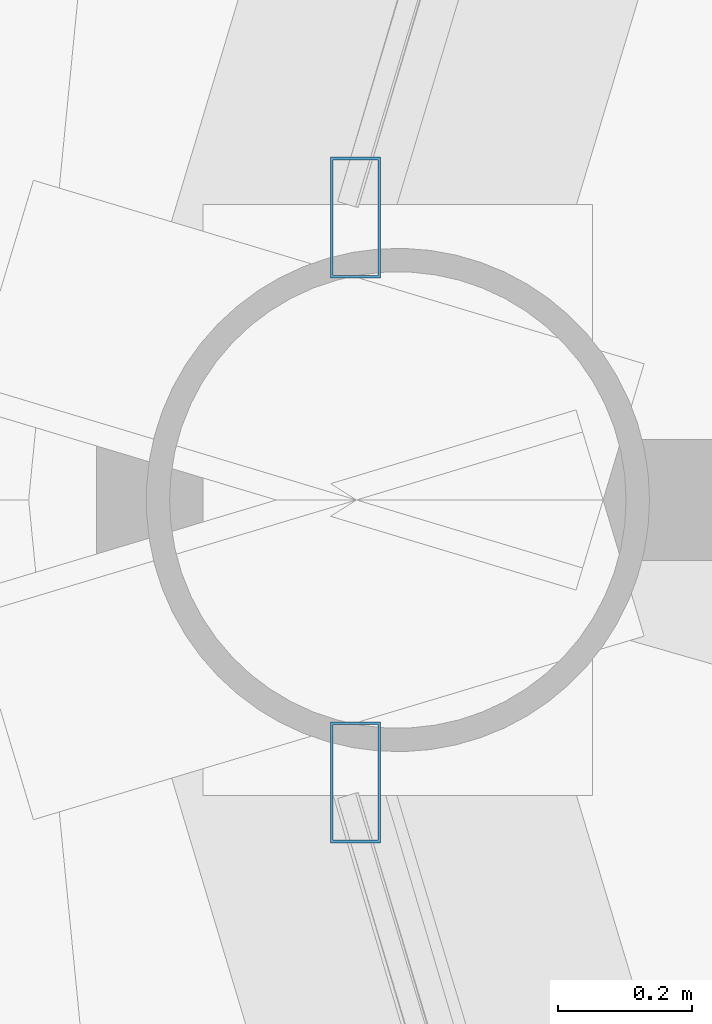
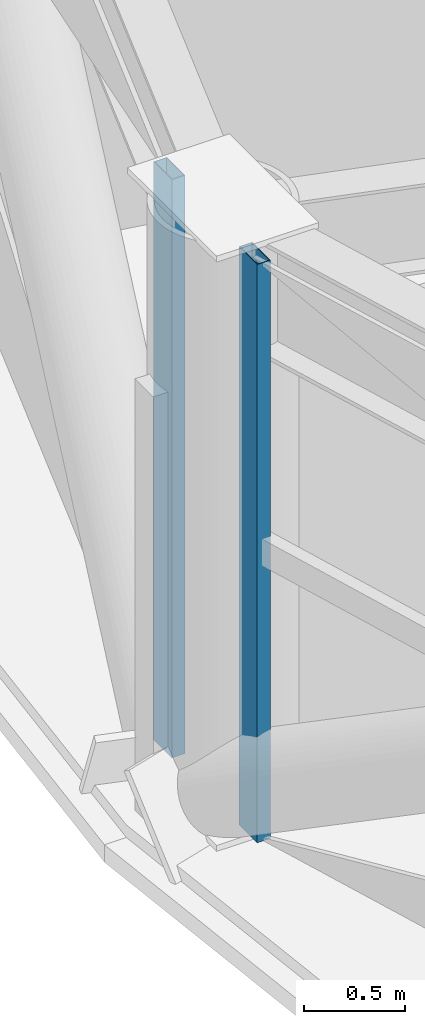
# One storey, part 6 of 32: 2 members, 2 elements without a shape of their own.
"""IFC4 building model written with IfcOpenShell, lengths in metres."""

from ifc_helpers import new_model, si_unit, direction, frame, origin, origin_2d, place, context, subcontext, project, spatial, hollow_rectangle, extrude, material, layer, layer_set, material_profile, profile_set, type_object, element, aggregate, save


model = new_model("IFC4")

# Units and contexts
model_context = context("Model", 3, precision=1e-05, world=origin(), true_north=direction((0.0, 1.0)))
body_context = subcontext(model_context, "Body", "Model", "MODEL_VIEW")
ifc_project = project(units=[si_unit("LENGTHUNIT", "METRE"), si_unit("AREAUNIT", "SQUARE_METRE"), si_unit("VOLUMEUNIT", "CUBIC_METRE"), si_unit("PLANEANGLEUNIT", "RADIAN"), si_unit("MASSUNIT", "GRAM", prefix="KILO")], contexts=[model_context])

# Site, building, storey
site_placement = place(None, origin())
site = spatial("IfcSite", under=ifc_project, at=site_placement, CompositionType="ELEMENT")
building_placement = place(site_placement, origin())
building = spatial("IfcBuilding", under=site, at=building_placement, Name="Vantalir Tower", CompositionType="ELEMENT")
storey_placement = place(building_placement, frame((0.0, 0.0, 104.699951171875)))
storey = spatial("IfcBuildingStorey", under=building, at=storey_placement, Name="L25", CompositionType="ELEMENT", Elevation=104.699951171875)

# Curtain wall, member
ifc_material_1 = material(Name="Champagne-silver PVDF aluminium and double-silver Low-E glass", Category="aluminium")
ifc_layer = layer(ifc_material_1, 0.199951171875)
ifc_layer_set = layer_set([ifc_layer], Name="Champagne-silver PVDF aluminium and double-silver Low-E glass")
curtain_wall_type = type_object("IfcCurtainWallType", Name="CW-DIAMOND-Z2", PredefinedType="USERDEFINED", material=ifc_layer_set)
curtain_wall_1_placement = place(storey_placement, origin())
curtain_wall_1 = element("IfcCurtainWall", 1, at=curtain_wall_1_placement, inside=storey, type_object=curtain_wall_type, Name="L25 Quilted Pyramid-Diamond Curtain Wall S06", ObjectType="UNITISED CURTAIN WALL", PredefinedType="USERDEFINED")
ifc_material_2 = material(Name="Champagne-silver PVDF aluminium 6063-T6", Category="aluminium")
ifc_material_profile = material_profile(ifc_material_2, hollow_rectangle(XDim=0.074951171875, YDim=0.179931640625, WallThickness=0.00390625, at=origin_2d()), Name="Champagne-silver PVDF aluminium 6063-T6")
ifc_profile_set = profile_set([ifc_material_profile], Name="Champagne-silver PVDF aluminium 6063-T6")
member_type = type_object("IfcMemberType", Name="CWM-180x75", PredefinedType="MULLION", material=ifc_profile_set)
member_1_placement = place(storey_placement, frame((5.84912109375, 25.4208984375, 0.045166015625), z_axis=(0.0, 0.0, 1.0), x_axis=(1.0, 0.0, 0.0)))
member_1 = element("IfcMember", 2, at=member_1_placement, type_object=member_type, Name="CW-L25-S06 Mullion 2", PredefinedType="MULLION", context=body_context, shape_type="SweptSolid", body=[
    extrude(hollow_rectangle(XDim=0.074951171875, YDim=0.179931640625, WallThickness=0.00390625, at=origin_2d()), origin(), (0.0, 0.0, 1.0), 3.47998046875),
])
aggregate(curtain_wall_1, [member_1])

curtain_wall_2_placement = place(storey_placement, origin())
curtain_wall_2 = element("IfcCurtainWall", 3, at=curtain_wall_2_placement, inside=storey, type_object=curtain_wall_type, Name="L25 Quilted Pyramid-Diamond Curtain Wall S07", ObjectType="UNITISED CURTAIN WALL", PredefinedType="USERDEFINED")
member_2_placement = place(storey_placement, frame((5.84912109375, 24.5791015625, 0.045166015625), z_axis=(0.0, 0.0, 1.0), x_axis=(1.0, 0.0, 0.0)))
member_2 = element("IfcMember", 4, at=member_2_placement, type_object=member_type, Name="CW-L25-S07 Mullion 1", PredefinedType="MULLION", context=body_context, shape_type="SweptSolid", body=[
    extrude(hollow_rectangle(XDim=0.074951171875, YDim=0.179931640625, WallThickness=0.00390625, at=origin_2d()), origin(), (0.0, 0.0, 1.0), 3.47998046875),
])
aggregate(curtain_wall_2, [member_2])

save(model, "model.ifc")
